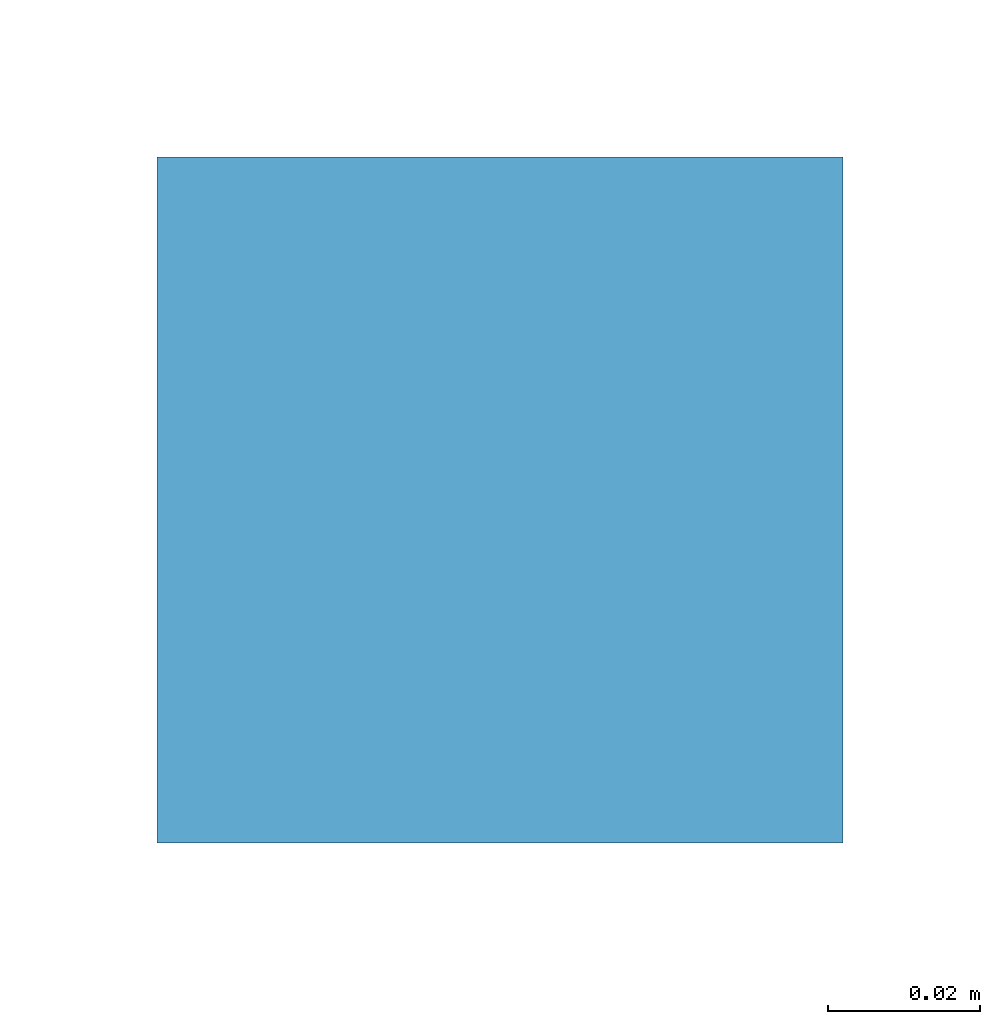
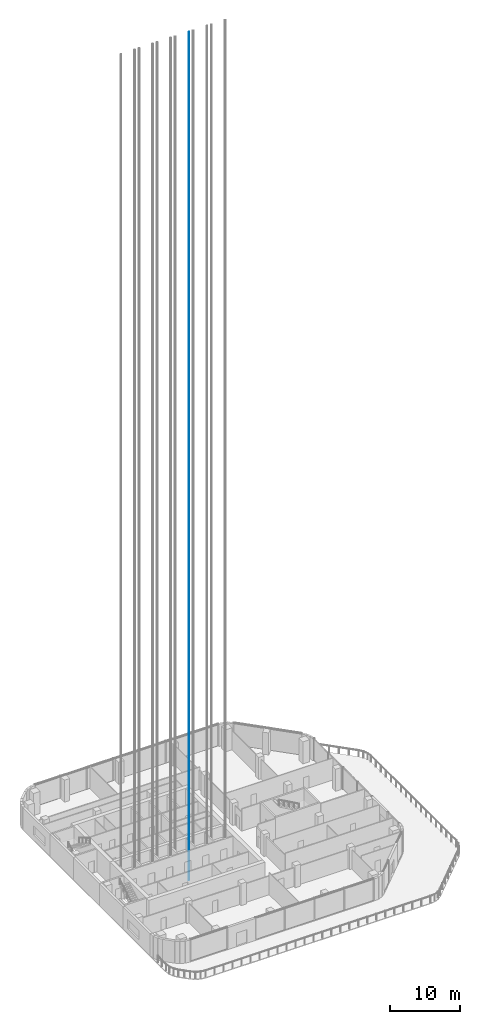
# One storey, part 12 of 29: 1 member.
"""IFC4 building model written with IfcOpenShell, lengths in metres."""

from ifc_helpers import new_model, si_unit, direction, frame, origin, origin_2d, place, context, subcontext, project, spatial, rectangle, extrude, material, material_profile, profile_set, type_object, element, save


model = new_model("IFC4")

# Units and contexts
model_context = context("Model", 3, precision=1e-05, world=origin(), true_north=direction((0.0, 1.0)))
body_context = subcontext(model_context, "Body", "Model", "MODEL_VIEW")
ifc_project = project(units=[si_unit("LENGTHUNIT", "METRE"), si_unit("AREAUNIT", "SQUARE_METRE"), si_unit("VOLUMEUNIT", "CUBIC_METRE"), si_unit("PLANEANGLEUNIT", "RADIAN"), si_unit("MASSUNIT", "GRAM", prefix="KILO")], contexts=[model_context])

# Site, building, storey
site_placement = place(None, origin())
site = spatial("IfcSite", under=ifc_project, at=site_placement, CompositionType="ELEMENT")
building_placement = place(site_placement, origin())
building = spatial("IfcBuilding", under=site, at=building_placement, Name="Cinnabar Reach Civic Tower", CompositionType="ELEMENT")
storey_placement = place(building_placement, frame((0.0, 0.0, 149.0)))
storey = spatial("IfcBuildingStorey", under=building, at=storey_placement, Name="L35", CompositionType="ELEMENT", Elevation=149.0)

# Member
ifc_material = material(Name="Steel Q355B", Category="steel")
ifc_material_profile = material_profile(ifc_material, rectangle(XDim=0.09, YDim=0.09, at=origin_2d()), Name="T1 lift guide rail")
ifc_profile_set = profile_set([ifc_material_profile], Name="Steel Q355B")
member_type = type_object("IfcMemberType", Name="T1 lift guide rail", PredefinedType="USERDEFINED", material=ifc_profile_set)
member_placement = place(storey_placement, frame((16.13, 30.0, -2.5), z_axis=(0.0, 0.0, 1.0), x_axis=(1.0, 0.0, 0.0)))
element("IfcMember", 1, at=member_placement, inside=storey, type_object=member_type, Name="T1-HR4 guide rail 2", ObjectType="GUIDE RAIL", PredefinedType="USERDEFINED", context=body_context, shape_type="SweptSolid", body=[
    extrude(rectangle(XDim=0.09, YDim=0.09, at=origin_2d()), origin(), (0.0, 0.0, 1.0), 148.5),
])

save(model, "model.ifc")
